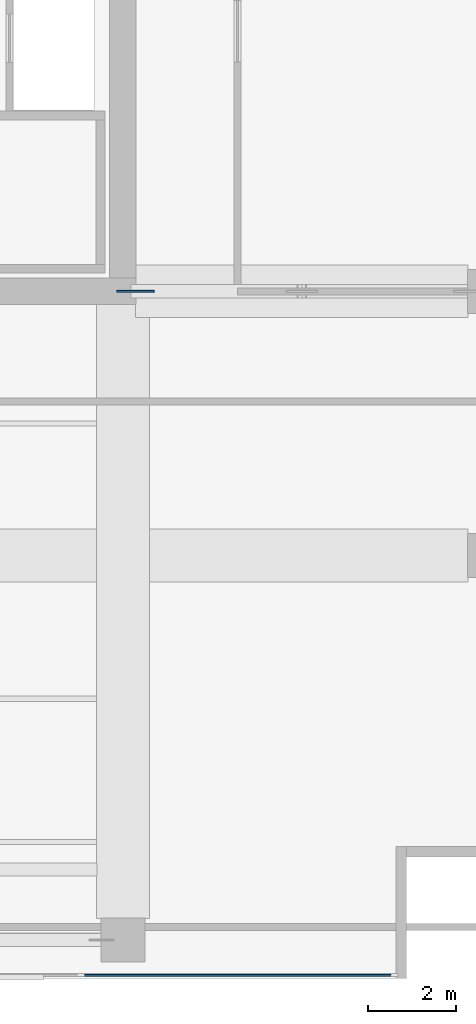
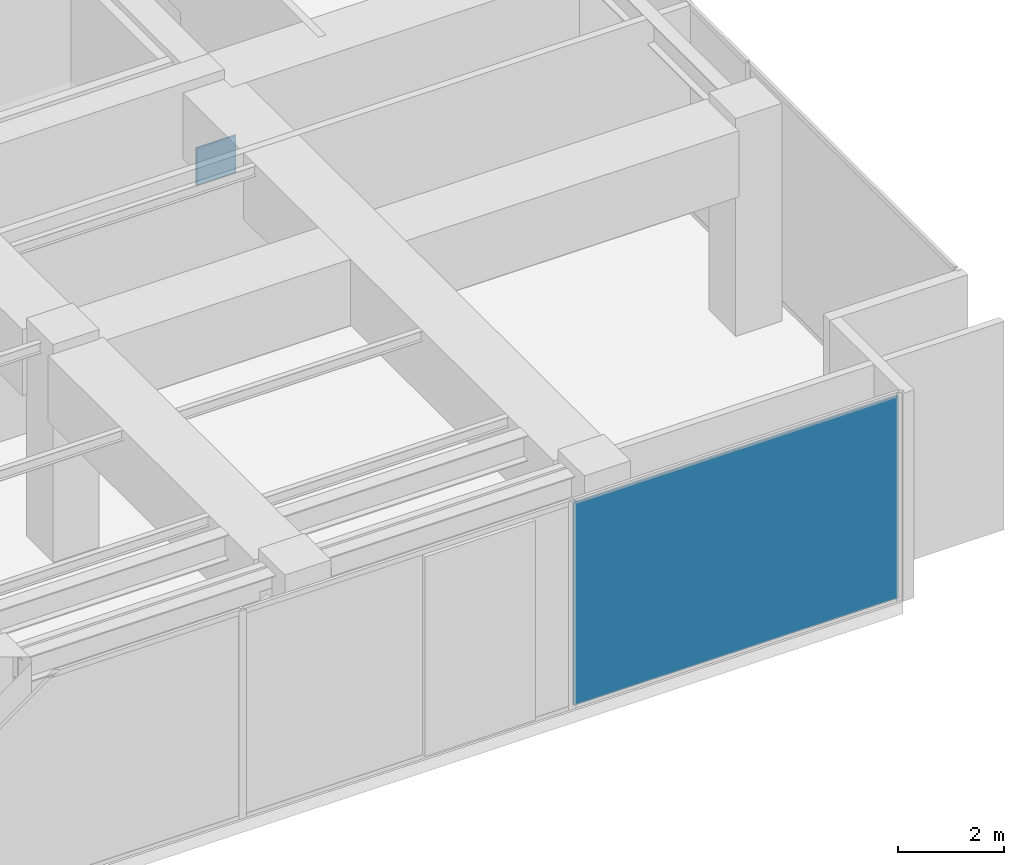
# One storey, part 14 of 28: 2 plates, 1 element without a shape of its own.
"""IFC4 building model written with IfcOpenShell, lengths in metres."""

from ifc_helpers import new_model, si_unit, direction, frame, origin, origin_2d, place, context, subcontext, project, spatial, rectangle, extrude, material, layer, layer_set, type_object, element, aggregate, save


model = new_model("IFC4")

# Units and contexts
model_context = context("Model", 3, precision=1e-05, world=origin(), true_north=direction((0.0, 1.0)))
body_context = subcontext(model_context, "Body", "Model", "MODEL_VIEW")
ifc_project = project(units=[si_unit("LENGTHUNIT", "METRE"), si_unit("AREAUNIT", "SQUARE_METRE"), si_unit("VOLUMEUNIT", "CUBIC_METRE"), si_unit("PLANEANGLEUNIT", "RADIAN"), si_unit("MASSUNIT", "GRAM", prefix="KILO")], contexts=[model_context])

# Site, building, storey
site_placement = place(None, origin())
site = spatial("IfcSite", under=ifc_project, at=site_placement, CompositionType="ELEMENT")
building_placement = place(site_placement, origin())
building = spatial("IfcBuilding", under=site, at=building_placement, Name="Putna Gate Headquarters", CompositionType="ELEMENT")
storey_placement = place(building_placement, frame((0.0, 0.0, 197.39990234375)))
storey = spatial("IfcBuildingStorey", under=building, at=storey_placement, Name="L49", CompositionType="ELEMENT", Elevation=197.39990234375)

# Curtain wall, plate
ifc_material_1 = material(Name="Anodised bronze aluminium curtain wall", Category="aluminium")
ifc_layer_1 = layer(ifc_material_1, 0.159912109375)
ifc_layer_set_1 = layer_set([ifc_layer_1], Name="Anodised bronze aluminium curtain wall")
curtain_wall_type = type_object("IfcCurtainWallType", Name="CW-SYS-CRN", PredefinedType="USERDEFINED", material=ifc_layer_set_1)
curtain_wall_placement = place(storey_placement, origin())
curtain_wall = element("IfcCurtainWall", 1, at=curtain_wall_placement, inside=storey, type_object=curtain_wall_type, Name="L49 Acoustic Louvre South Enclosure", ObjectType="STICK CURTAIN WALL", PredefinedType="USERDEFINED")
ifc_material_2 = material(Name="Anodised bronze acoustic louvre panel", Category="aluminium")
ifc_layer_2 = layer(ifc_material_2, 0.044921875)
ifc_layer_set_2 = layer_set([ifc_layer_2], Name="Anodised bronze acoustic louvre panel")
plate_type_1 = type_object("IfcPlateType", Name="PAN-CWP-CR", PredefinedType="CURTAIN_PANEL", material=ifc_layer_set_2)
plate_1_placement = place(storey_placement, frame((67.60595703125, 3.47998046875, 0.065185546875), z_axis=(0.0, 0.0, 1.0), x_axis=(1.0, 0.0, 0.0)))
plate_1 = element("IfcPlate", 2, at=plate_1_placement, type_object=plate_type_1, Name="CWS-CR panel 9.1", PredefinedType="CURTAIN_PANEL", context=body_context, shape_type="SweptSolid", body=[
    extrude(rectangle(XDim=7.05810546875, YDim=0.044921875, at=origin_2d()), origin(), (0.0, 0.0, 1.0), 4.64990234375),
])
aggregate(curtain_wall, [plate_1])

# Plate
ifc_material_3 = material(Name="Steel S460M", Category="steel")
ifc_layer_3 = layer(ifc_material_3, 0.0400390625)
ifc_layer_set_3 = layer_set([ifc_layer_3], Name="Steel S460M")
plate_type_2 = type_object("IfcPlateType", Name="PLT-NODE-ON1", PredefinedType="SHEET", material=ifc_layer_set_3)
plate_2_placement = place(storey_placement, frame((65.284912109375, 19.0, 2.324951171875), z_axis=(0.0, 0.0, 1.0), x_axis=(1.0, 0.0, 0.0)))
element("IfcPlate", 3, at=plate_2_placement, inside=storey, type_object=plate_type_2, Name="L49 Outrigger Node Plate ON1 ES", PredefinedType="SHEET", context=body_context, shape_type="SweptSolid", body=[
    extrude(rectangle(XDim=0.85009765625, YDim=0.0400390625, at=origin_2d()), origin(), (0.0, 0.0, 1.0), 0.85009765625),
])

save(model, "model.ifc")
